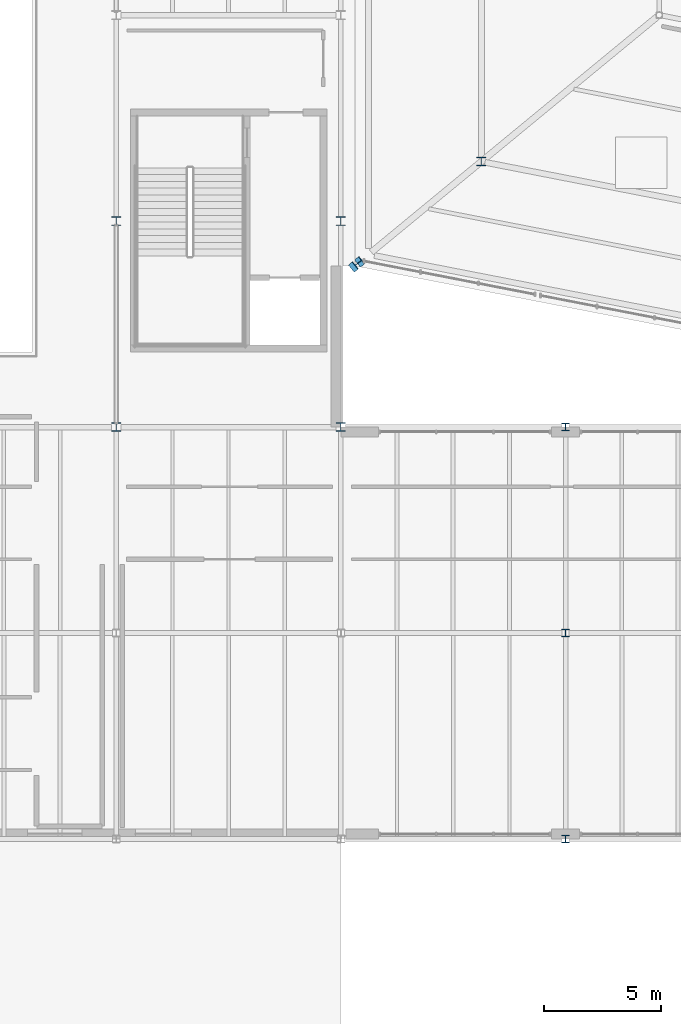
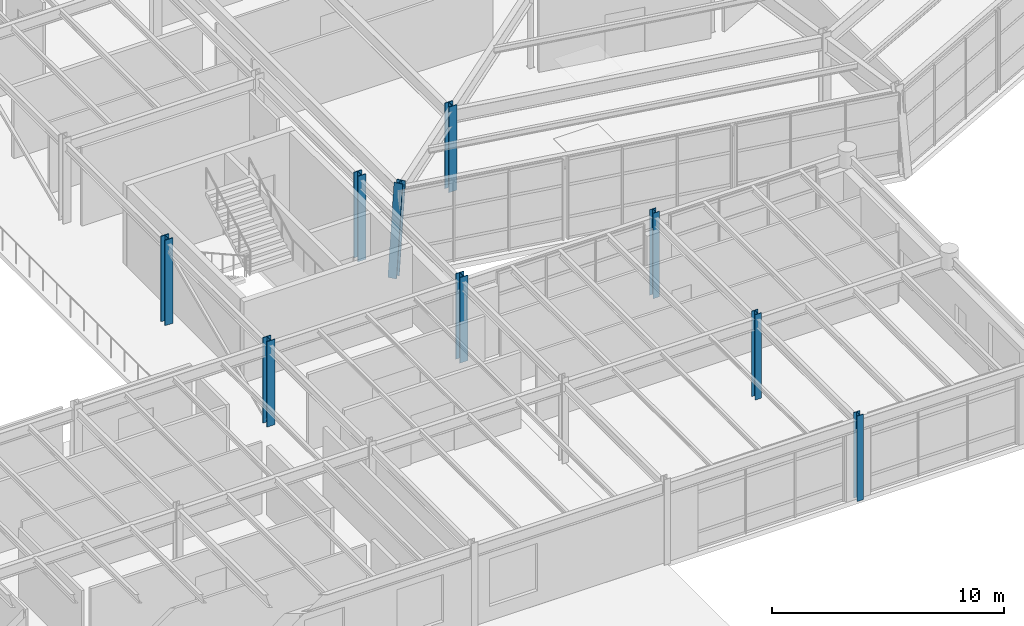
# One storey, part 5 of 88: 9 columns.
"""IFC4 building model written with IfcOpenShell, lengths in metres."""

from ifc_helpers import new_model, si_unit, direction, frame, origin, origin_2d, place, context, subcontext, project, spatial, i_section, extrude, material, material_profile, profile_set, type_object, element, save


model = new_model("IFC4")

# Units and contexts
model_context = context("Model", 3, precision=1e-05, world=origin(), true_north=direction((0.0, 1.0)))
body_context = subcontext(model_context, "Body", "Model", "MODEL_VIEW")
ifc_project = project(units=[si_unit("LENGTHUNIT", "METRE"), si_unit("AREAUNIT", "SQUARE_METRE"), si_unit("VOLUMEUNIT", "CUBIC_METRE"), si_unit("PLANEANGLEUNIT", "RADIAN"), si_unit("MASSUNIT", "GRAM", prefix="KILO")], contexts=[model_context])

# Site, building, storey
site_placement = place(None, origin())
site = spatial("IfcSite", under=ifc_project, at=site_placement, CompositionType="ELEMENT")
building_placement = place(site_placement, origin())
building = spatial("IfcBuilding", under=site, at=building_placement, Name="Sarnbrook Museum", CompositionType="ELEMENT")
storey_placement = place(building_placement, frame((0.0, 0.0, 10.10009765625)))
storey = spatial("IfcBuildingStorey", under=building, at=storey_placement, Name="L02", CompositionType="ELEMENT", Elevation=10.10009765625)

# Columns
ifc_material_1 = material(Name="Structural Steel Grade 300PLUS (AS/NZS 3679.1, fy = 280 MPa for 17 < t <= 40 mm, 300 MPa for t <= 17 mm)", Category="steel")
ifc_material_profile_1 = material_profile(ifc_material_1, i_section(OverallWidth=0.31103515625, OverallDepth=0.326904296875, WebThickness=0.015625, FlangeThickness=0.02490234375, FilletRadius=0.0166015625, at=origin_2d()), Name="310UC158")
ifc_profile_set_1 = profile_set([ifc_material_profile_1], Name="Structural Steel Grade 300PLUS (AS/NZS 3679.1, fy = 280 MPa for 17 < t <= 40 mm, 300 MPa for t <= 17 mm)")
column_type_1 = type_object("IfcColumnType", Name="COL-UC310H", PredefinedType="COLUMN", material=ifc_profile_set_1)
for number, where, z_axis, x_axis, name in (
    (1, (128.800048828125, 39.199951171875, 0.0), (0.0, 0.0, 1.0), (1.0, 0.0, 0.0), "Column 14-E L02"),
    (2, (128.800048828125, 48.0, 0.0), (0.0, 0.0, 1.0), (1.0, 0.0, 0.0), "Column 14-F L02"),
    (3, (128.800048828125, 56.800048828125, 0.0), (0.0, 0.0, 1.0), (1.0, 0.0, 0.0), "Column 14-G L02"),
):
    element("IfcColumn", number, at=place(storey_placement, frame(where, z_axis=z_axis, x_axis=x_axis)), inside=storey, type_object=column_type_1, Name=name, PredefinedType="COLUMN", context=body_context, shape_type="SweptSolid", body=[
        extrude(i_section(OverallWidth=0.31103515625, OverallDepth=0.326904296875, WebThickness=0.015625, FlangeThickness=0.02490234375, FilletRadius=0.0166015625, at=origin_2d()), origin(), (0.0, 0.0, 1.0), 4.5),
    ])
ifc_material_2 = material(Name="Structural Steel Grade 350L0 (AS/NZS 3678, fy = 340 MPa for 20 < t <= 40 mm)", Category="steel")
ifc_material_profile_2 = material_profile(ifc_material_2, i_section(OverallWidth=0.39990234375, OverallDepth=0.382080078125, WebThickness=0.02490234375, FlangeThickness=0.035888671875, at=origin_2d()), Name="400WC270")
ifc_profile_set_2 = profile_set([ifc_material_profile_2], Name="Structural Steel Grade 350L0 (AS/NZS 3678, fy = 340 MPa for 20 < t <= 40 mm)")
column_type_2 = type_object("IfcColumnType", Name="COL-WC400", PredefinedType="COLUMN", material=ifc_profile_set_2)
for number, where, z_axis, x_axis, name in (
    (4, (109.60009765625, 56.800048828125, 0.0), (0.0, 0.0, 1.0), (1.0, 0.0, 0.0), "Column 12-G L02"),
    (5, (109.60009765625, 65.60009765625, 0.0), (0.0, 0.0, 1.0), (1.0, 0.0, 0.0), "Column 12-H L02"),
    (6, (119.199951171875, 56.800048828125, 0.0), (0.0, 0.0, 1.0), (1.0, 0.0, 0.0), "Column 13-G L02"),
    (7, (119.199951171875, 65.60009765625, 0.0), (0.0, 0.0, 1.0), (1.0, 0.0, 0.0), "Column 13-H L02"),
):
    element("IfcColumn", number, at=place(storey_placement, frame(where, z_axis=z_axis, x_axis=x_axis)), inside=storey, type_object=column_type_2, Name=name, PredefinedType="COLUMN", context=body_context, shape_type="SweptSolid", body=[
        extrude(i_section(OverallWidth=0.39990234375, OverallDepth=0.382080078125, WebThickness=0.02490234375, FlangeThickness=0.035888671875, at=origin_2d()), origin(), (0.0, 0.0, 1.0), 4.5),
    ])
column_1_placement = place(storey_placement, frame((119.79248046875, 63.68798828125, 0.0), z_axis=(0.12979742642, 0.106961208422, 0.985754496813), x_axis=(-0.635952423064, 0.771728265388, 0.0)))
element("IfcColumn", 8, at=column_1_placement, inside=storey, type_object=column_type_2, Name="Raking Crystal Rib Column V1 L02", PredefinedType="COLUMN", context=body_context, shape_type="SweptSolid", body=[
    extrude(i_section(OverallWidth=0.39990234375, OverallDepth=0.382080078125, WebThickness=0.02490234375, FlangeThickness=0.035888671875, at=origin_2d()), origin(), (0.0, 0.0, 1.0), 4.56494140625),
])
column_2_placement = place(storey_placement, frame((125.199951171875, 68.143310546875, 0.0), z_axis=(0.0, 0.0, 1.0), x_axis=(1.0, 0.0, 0.0)))
element("IfcColumn", 9, at=column_2_placement, inside=storey, type_object=column_type_2, Name="Crystal Hall Ring Column R1-1 L02", PredefinedType="COLUMN", context=body_context, shape_type="SweptSolid", body=[
    extrude(i_section(OverallWidth=0.39990234375, OverallDepth=0.382080078125, WebThickness=0.02490234375, FlangeThickness=0.035888671875, at=origin_2d()), origin(), (0.0, 0.0, 1.0), 4.5),
])

save(model, "model.ifc")
